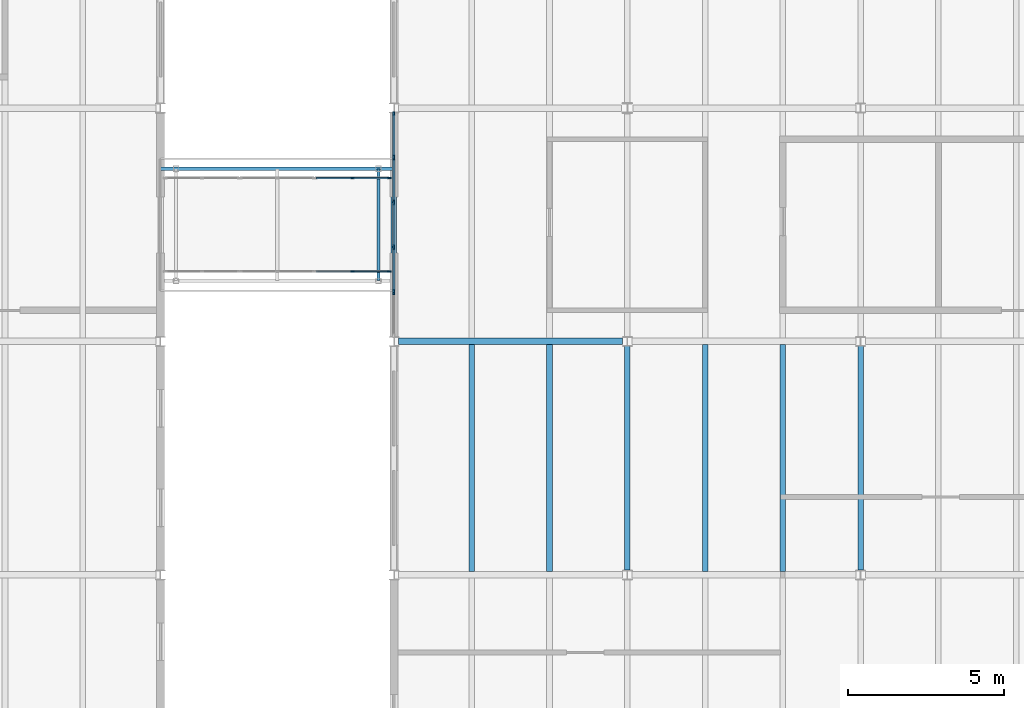
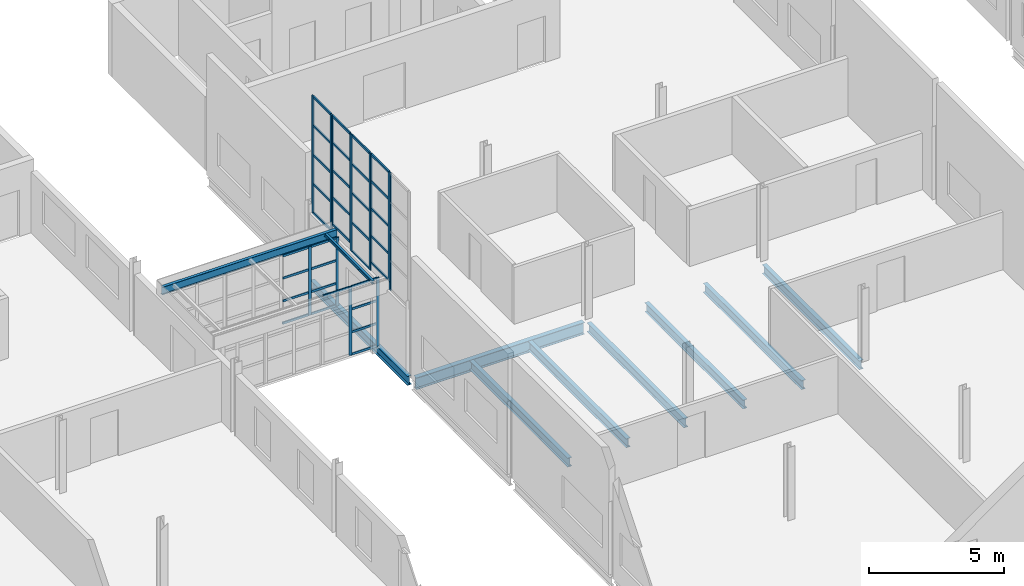
# One storey, part 34 of 198: 47 members, 9 beams, 7 elements without a shape of their own.
"""IFC4 building model written with IfcOpenShell, lengths in metres."""

from ifc_helpers import new_model, si_unit, direction, frame, origin, origin_2d, place, context, subcontext, project, spatial, rectangle, i_section, extrude, material, material_profile, profile_set, type_object, element, aggregate, save


model = new_model("IFC4")

# Units and contexts
model_context = context("Model", 3, precision=1e-05, world=origin(), true_north=direction((0.0, 1.0)))
body_context = subcontext(model_context, "Body", "Model", "MODEL_VIEW")
ifc_project = project(units=[si_unit("LENGTHUNIT", "METRE"), si_unit("AREAUNIT", "SQUARE_METRE"), si_unit("VOLUMEUNIT", "CUBIC_METRE"), si_unit("PLANEANGLEUNIT", "RADIAN"), si_unit("MASSUNIT", "GRAM", prefix="KILO")], contexts=[model_context])

# Site, building, storey
site_placement = place(None, origin())
site = spatial("IfcSite", under=ifc_project, at=site_placement, CompositionType="ELEMENT")
building_placement = place(site_placement, origin())
building = spatial("IfcBuilding", under=site, at=building_placement, Name="Parallax Yard Mobility Hub", CompositionType="ELEMENT")
storey_placement = place(building_placement, frame((0.0, 0.0, 6.60009765625)))
storey = spatial("IfcBuildingStorey", under=building, at=storey_placement, Name="L02", CompositionType="ELEMENT", Elevation=6.60009765625)

# Member
ifc_material_1 = material(Name="Steel ASTM A992", Category="steel")
ifc_material_profile_1 = material_profile(ifc_material_1, i_section(OverallWidth=0.10205078125, OverallDepth=0.153076171875, WebThickness=0.005859375, FlangeThickness=0.007080078125, at=origin_2d()), Name="W150x18")
ifc_profile_set_1 = profile_set([ifc_material_profile_1], Name="Steel ASTM A992")
member_type_1 = type_object("IfcMemberType", Name="Bridge cross rafter W150x18", PredefinedType="RAFTER", material=ifc_profile_set_1)
member_1_placement = place(storey_placement, frame((149.5, 31.952880859375, 3.17236328125), z_axis=(0.0, 1.0, 0.0), x_axis=(-1.0, 0.0, 0.0)))
element("IfcMember", 1, at=member_1_placement, inside=storey, type_object=member_type_1, Name="Bridge BR3 level L02 cross rafter 3", PredefinedType="RAFTER", context=body_context, shape_type="SweptSolid", body=[
    extrude(i_section(OverallWidth=0.10205078125, OverallDepth=0.153076171875, WebThickness=0.005859375, FlangeThickness=0.007080078125, at=origin_2d()), origin(), (0.0, 0.0, 1.0), 3.59423828125),
])

# Beam
ifc_material_profile_2 = material_profile(ifc_material_1, i_section(OverallWidth=0.126953125, OverallDepth=0.34912109375, WebThickness=0.005859375, FlangeThickness=0.008544921875, at=origin_2d()), Name="W360x33")
ifc_profile_set_2 = profile_set([ifc_material_profile_2], Name="Steel ASTM A992")
beam_type_1 = type_object("IfcBeamType", Name="Bridge roof beam W360x33", PredefinedType="BEAM", material=ifc_profile_set_2)
beam_1_placement = place(storey_placement, frame((142.5, 35.550048828125, 3.074462890625), z_axis=(1.0, 0.0, 0.0), x_axis=(0.0, 1.0, 0.0)))
element("IfcBeam", 2, at=beam_1_placement, inside=storey, type_object=beam_type_1, Name="Bridge BR3 level L02 roof beam at y 35.55", PredefinedType="BEAM", context=body_context, shape_type="SweptSolid", body=[
    extrude(i_section(OverallWidth=0.126953125, OverallDepth=0.34912109375, WebThickness=0.005859375, FlangeThickness=0.008544921875, at=origin_2d()), origin(), (0.0, 0.0, 1.0), 7.5),
])

# Curtain wall, members
ifc_material_2 = material(Name="Thermally broken aluminium curtain wall system", Category="aluminium")
curtain_wall_type_1 = type_object("IfcCurtainWallType", Name="Bridge curtain wall run 50 x 120 frame", PredefinedType="NOTDEFINED", material=ifc_material_2)
curtain_wall_1_placement = place(storey_placement, origin())
curtain_wall_1 = element("IfcCurtainWall", 3, at=curtain_wall_1_placement, inside=storey, type_object=curtain_wall_type_1, Name="Curtain wall run bridge BR3 south side level L02", PredefinedType="NOTDEFINED")
ifc_material_3 = material(Name="Extruded aluminium", Category="aluminium")
ifc_material_profile_3 = material_profile(ifc_material_3, rectangle(XDim=0.050048828125, YDim=0.1201171875, at=origin_2d()), Name="Mullion 50 x 120")
ifc_profile_set_3 = profile_set([ifc_material_profile_3], Name="Extruded aluminium")
member_type_2 = type_object("IfcMemberType", Name="Mullion 50 x 120", PredefinedType="MULLION", material=ifc_profile_set_3)
member_2_placement = place(storey_placement, frame((148.666748046875, 32.25, 0.0), z_axis=(0.0, 0.0, 1.0), x_axis=(0.0, 1.0, 0.0)))
member_2 = element("IfcMember", 4, at=member_2_placement, type_object=member_type_2, Name="CW2 mullion 2", PredefinedType="MULLION", context=body_context, shape_type="SweptSolid", body=[
    extrude(rectangle(XDim=0.050048828125, YDim=0.1201171875, at=origin_2d()), origin(), (0.0, 0.0, 1.0), 3.095947265625),
])
member_3_placement = place(storey_placement, frame((149.85009765625, 32.25, 0.0), z_axis=(0.0, 0.0, 1.0), x_axis=(0.0, 1.0, 0.0)))
member_3 = element("IfcMember", 5, at=member_3_placement, type_object=member_type_2, Name="CW2 mullion 3", PredefinedType="MULLION", context=body_context, shape_type="SweptSolid", body=[
    extrude(rectangle(XDim=0.050048828125, YDim=0.1201171875, at=origin_2d()), origin(), (0.0, 0.0, 1.0), 3.095947265625),
])

curtain_wall_2_placement = place(storey_placement, origin())
curtain_wall_2 = element("IfcCurtainWall", 6, at=curtain_wall_2_placement, inside=storey, type_object=curtain_wall_type_1, Name="Curtain wall run bridge BR3 north side level L02", PredefinedType="NOTDEFINED")
member_4_placement = place(storey_placement, frame((148.666748046875, 35.25, 0.0), z_axis=(0.0, 0.0, 1.0), x_axis=(0.0, 1.0, 0.0)))
member_4 = element("IfcMember", 7, at=member_4_placement, type_object=member_type_2, Name="CW2 mullion 2", PredefinedType="MULLION", context=body_context, shape_type="SweptSolid", body=[
    extrude(rectangle(XDim=0.050048828125, YDim=0.1201171875, at=origin_2d()), origin(), (0.0, 0.0, 1.0), 3.095947265625),
])
member_5_placement = place(storey_placement, frame((149.85009765625, 35.25, 0.0), z_axis=(0.0, 0.0, 1.0), x_axis=(0.0, 1.0, 0.0)))
member_5 = element("IfcMember", 8, at=member_5_placement, type_object=member_type_2, Name="CW2 mullion 3", PredefinedType="MULLION", context=body_context, shape_type="SweptSolid", body=[
    extrude(rectangle(XDim=0.050048828125, YDim=0.1201171875, at=origin_2d()), origin(), (0.0, 0.0, 1.0), 3.095947265625),
])

# Curtain wall, member
curtain_wall_type_2 = type_object("IfcCurtainWallType", Name="Clerestory glazing run 60 x 120 frame", PredefinedType="NOTDEFINED", material=ifc_material_2)
curtain_wall_3_placement = place(storey_placement, origin())
curtain_wall_3 = element("IfcCurtainWall", 9, at=curtain_wall_3_placement, inside=storey, type_object=curtain_wall_type_2, Name="Clerestory glazing run Bicycle and shared-mobility hall west bay 4 level L02", PredefinedType="NOTDEFINED")
ifc_material_profile_4 = material_profile(ifc_material_3, rectangle(XDim=0.06005859375, YDim=0.1201171875, at=origin_2d()), Name="Mullion 60 x 120")
ifc_profile_set_4 = profile_set([ifc_material_profile_4], Name="Extruded aluminium")
member_type_3 = type_object("IfcMemberType", Name="Mullion 60 x 120", PredefinedType="MULLION", material=ifc_profile_set_4)
member_6_placement = place(storey_placement, frame((150.0, 31.56201171875, 2.89990234375), z_axis=(0.0, 0.0, 1.0), x_axis=(-1.0, 0.0, 0.0)))
member_6 = element("IfcMember", 10, at=member_6_placement, type_object=member_type_3, Name="CW4 mullion 2", PredefinedType="MULLION", context=body_context, shape_type="SweptSolid", body=[
    extrude(rectangle(XDim=0.06005859375, YDim=0.1201171875, at=origin_2d()), origin(), (0.0, 0.0, 1.0), 5.292724609375),
])
aggregate(curtain_wall_3, [member_6])

# Curtain wall, members
curtain_wall_4_placement = place(storey_placement, origin())
curtain_wall_4 = element("IfcCurtainWall", 11, at=curtain_wall_4_placement, inside=storey, type_object=curtain_wall_type_2, Name="Clerestory glazing run Bicycle and shared-mobility hall west bay 4 level L02", PredefinedType="NOTDEFINED")
member_7_placement = place(storey_placement, frame((150.0, 31.6220703125, 3.2490234375), z_axis=(0.0, 0.0, 1.0), x_axis=(-1.0, 0.0, 0.0)))
member_7 = element("IfcMember", 12, at=member_7_placement, type_object=member_type_3, Name="CW4 mullion 1", PredefinedType="MULLION", context=body_context, shape_type="SweptSolid", body=[
    extrude(rectangle(XDim=0.06005859375, YDim=0.1201171875, at=origin_2d()), origin(), (0.0, 0.0, 1.0), 4.943603515625),
])
member_8_placement = place(storey_placement, frame((150.0, 33.000732421875, 3.2490234375), z_axis=(0.0, 0.0, 1.0), x_axis=(-1.0, 0.0, 0.0)))
member_8 = element("IfcMember", 13, at=member_8_placement, type_object=member_type_3, Name="CW4 mullion 2", PredefinedType="MULLION", context=body_context, shape_type="SweptSolid", body=[
    extrude(rectangle(XDim=0.06005859375, YDim=0.1201171875, at=origin_2d()), origin(), (0.0, 0.0, 1.0), 4.943603515625),
])

curtain_wall_5_placement = place(storey_placement, origin())
curtain_wall_5 = element("IfcCurtainWall", 14, at=curtain_wall_5_placement, inside=storey, type_object=curtain_wall_type_2, Name="Clerestory glazing run Bicycle and shared-mobility hall west bay 4 level L02", PredefinedType="NOTDEFINED")
member_9_placement = place(storey_placement, frame((150.0, 33.060791015625, 2.89990234375), z_axis=(0.0, 0.0, 1.0), x_axis=(-1.0, 0.0, 0.0)))
member_9 = element("IfcMember", 15, at=member_9_placement, type_object=member_type_3, Name="CW4 mullion 1", PredefinedType="MULLION", context=body_context, shape_type="SweptSolid", body=[
    extrude(rectangle(XDim=0.06005859375, YDim=0.1201171875, at=origin_2d()), origin(), (0.0, 0.0, 1.0), 5.292724609375),
])
member_10_placement = place(storey_placement, frame((150.0, 34.439208984375, 2.89990234375), z_axis=(0.0, 0.0, 1.0), x_axis=(-1.0, 0.0, 0.0)))
member_10 = element("IfcMember", 16, at=member_10_placement, type_object=member_type_3, Name="CW4 mullion 2", PredefinedType="MULLION", context=body_context, shape_type="SweptSolid", body=[
    extrude(rectangle(XDim=0.06005859375, YDim=0.1201171875, at=origin_2d()), origin(), (0.0, 0.0, 1.0), 5.292724609375),
])

curtain_wall_6_placement = place(storey_placement, origin())
curtain_wall_6 = element("IfcCurtainWall", 17, at=curtain_wall_6_placement, inside=storey, type_object=curtain_wall_type_2, Name="Clerestory glazing run Bicycle and shared-mobility hall west bay 4 level L02", PredefinedType="NOTDEFINED")
member_11_placement = place(storey_placement, frame((150.0, 34.499267578125, 3.2490234375), z_axis=(0.0, 0.0, 1.0), x_axis=(-1.0, 0.0, 0.0)))
member_11 = element("IfcMember", 18, at=member_11_placement, type_object=member_type_3, Name="CW4 mullion 1", PredefinedType="MULLION", context=body_context, shape_type="SweptSolid", body=[
    extrude(rectangle(XDim=0.06005859375, YDim=0.1201171875, at=origin_2d()), origin(), (0.0, 0.0, 1.0), 4.943603515625),
])
member_12_placement = place(storey_placement, frame((150.0, 35.8779296875, 3.2490234375), z_axis=(0.0, 0.0, 1.0), x_axis=(-1.0, 0.0, 0.0)))
member_12 = element("IfcMember", 19, at=member_12_placement, type_object=member_type_3, Name="CW4 mullion 2", PredefinedType="MULLION", context=body_context, shape_type="SweptSolid", body=[
    extrude(rectangle(XDim=0.06005859375, YDim=0.1201171875, at=origin_2d()), origin(), (0.0, 0.0, 1.0), 4.943603515625),
])

curtain_wall_7_placement = place(storey_placement, origin())
curtain_wall_7 = element("IfcCurtainWall", 20, at=curtain_wall_7_placement, inside=storey, type_object=curtain_wall_type_2, Name="Clerestory glazing run Bicycle and shared-mobility hall west bay 4 level L02", PredefinedType="NOTDEFINED")
member_13_placement = place(storey_placement, frame((150.0, 35.93798828125, 2.89990234375), z_axis=(0.0, 0.0, 1.0), x_axis=(-1.0, 0.0, 0.0)))
member_13 = element("IfcMember", 21, at=member_13_placement, type_object=member_type_3, Name="CW4 mullion 1", PredefinedType="MULLION", context=body_context, shape_type="SweptSolid", body=[
    extrude(rectangle(XDim=0.06005859375, YDim=0.1201171875, at=origin_2d()), origin(), (0.0, 0.0, 1.0), 5.292724609375),
])
member_14_placement = place(storey_placement, frame((150.0, 37.31640625, 2.89990234375), z_axis=(0.0, 0.0, 1.0), x_axis=(-1.0, 0.0, 0.0)))
member_14 = element("IfcMember", 22, at=member_14_placement, type_object=member_type_3, Name="CW4 mullion 2", PredefinedType="MULLION", context=body_context, shape_type="SweptSolid", body=[
    extrude(rectangle(XDim=0.06005859375, YDim=0.1201171875, at=origin_2d()), origin(), (0.0, 0.0, 1.0), 5.292724609375),
])

# Member
ifc_material_profile_5 = material_profile(ifc_material_3, rectangle(XDim=0.050048828125, YDim=0.10009765625, at=origin_2d()), Name="Transom 50 x 100")
ifc_profile_set_5 = profile_set([ifc_material_profile_5], Name="Extruded aluminium")
member_type_4 = type_object("IfcMemberType", Name="Transom 50 x 100", PredefinedType="USERDEFINED", material=ifc_profile_set_5)
member_15_placement = place(storey_placement, frame((147.50830078125, 32.25, 3.07080078125), z_axis=(1.0, 0.0, 0.0), x_axis=(0.0, 1.0, 0.0)))
member_15 = element("IfcMember", 23, at=member_15_placement, type_object=member_type_4, Name="CW2 transom 1.4", ObjectType="TRANSOM", PredefinedType="USERDEFINED", context=body_context, shape_type="SweptSolid", body=[
    extrude(rectangle(XDim=0.050048828125, YDim=0.10009765625, at=origin_2d()), origin(), (0.0, 0.0, 1.0), 1.13330078125),
])

member_16_placement = place(storey_placement, frame((148.691650390625, 32.25, 0.02490234375), z_axis=(1.0, 0.0, 0.0), x_axis=(0.0, 1.0, 0.0)))
member_16 = element("IfcMember", 24, at=member_16_placement, type_object=member_type_4, Name="CW2 transom 2.1", ObjectType="TRANSOM", PredefinedType="USERDEFINED", context=body_context, shape_type="SweptSolid", body=[
    extrude(rectangle(XDim=0.050048828125, YDim=0.10009765625, at=origin_2d()), origin(), (0.0, 0.0, 1.0), 1.13330078125),
])

member_17_placement = place(storey_placement, frame((148.691650390625, 32.25, 1.031982421875), z_axis=(1.0, 0.0, 0.0), x_axis=(0.0, 1.0, 0.0)))
member_17 = element("IfcMember", 25, at=member_17_placement, type_object=member_type_4, Name="CW2 transom 2.2", ObjectType="TRANSOM", PredefinedType="USERDEFINED", context=body_context, shape_type="SweptSolid", body=[
    extrude(rectangle(XDim=0.050048828125, YDim=0.10009765625, at=origin_2d()), origin(), (0.0, 0.0, 1.0), 1.13330078125),
])

member_18_placement = place(storey_placement, frame((148.691650390625, 32.25, 2.06396484375), z_axis=(1.0, 0.0, 0.0), x_axis=(0.0, 1.0, 0.0)))
member_18 = element("IfcMember", 26, at=member_18_placement, type_object=member_type_4, Name="CW2 transom 2.3", ObjectType="TRANSOM", PredefinedType="USERDEFINED", context=body_context, shape_type="SweptSolid", body=[
    extrude(rectangle(XDim=0.050048828125, YDim=0.10009765625, at=origin_2d()), origin(), (0.0, 0.0, 1.0), 1.13330078125),
])

member_19_placement = place(storey_placement, frame((148.691650390625, 32.25, 3.07080078125), z_axis=(1.0, 0.0, 0.0), x_axis=(0.0, 1.0, 0.0)))
member_19 = element("IfcMember", 27, at=member_19_placement, type_object=member_type_4, Name="CW2 transom 2.4", ObjectType="TRANSOM", PredefinedType="USERDEFINED", context=body_context, shape_type="SweptSolid", body=[
    extrude(rectangle(XDim=0.050048828125, YDim=0.10009765625, at=origin_2d()), origin(), (0.0, 0.0, 1.0), 1.13330078125),
])

aggregate(curtain_wall_1, [member_2, member_3, member_15, member_16, member_17, member_18, member_19])

member_20_placement = place(storey_placement, frame((147.50830078125, 35.25, 0.02490234375), z_axis=(1.0, 0.0, 0.0), x_axis=(0.0, 1.0, 0.0)))
member_20 = element("IfcMember", 28, at=member_20_placement, type_object=member_type_4, Name="CW2 transom 1.1", ObjectType="TRANSOM", PredefinedType="USERDEFINED", context=body_context, shape_type="SweptSolid", body=[
    extrude(rectangle(XDim=0.050048828125, YDim=0.10009765625, at=origin_2d()), origin(), (0.0, 0.0, 1.0), 1.13330078125),
])

member_21_placement = place(storey_placement, frame((147.50830078125, 35.25, 1.031982421875), z_axis=(1.0, 0.0, 0.0), x_axis=(0.0, 1.0, 0.0)))
member_21 = element("IfcMember", 29, at=member_21_placement, type_object=member_type_4, Name="CW2 transom 1.2", ObjectType="TRANSOM", PredefinedType="USERDEFINED", context=body_context, shape_type="SweptSolid", body=[
    extrude(rectangle(XDim=0.050048828125, YDim=0.10009765625, at=origin_2d()), origin(), (0.0, 0.0, 1.0), 1.13330078125),
])

member_22_placement = place(storey_placement, frame((147.50830078125, 35.25, 2.06396484375), z_axis=(1.0, 0.0, 0.0), x_axis=(0.0, 1.0, 0.0)))
member_22 = element("IfcMember", 30, at=member_22_placement, type_object=member_type_4, Name="CW2 transom 1.3", ObjectType="TRANSOM", PredefinedType="USERDEFINED", context=body_context, shape_type="SweptSolid", body=[
    extrude(rectangle(XDim=0.050048828125, YDim=0.10009765625, at=origin_2d()), origin(), (0.0, 0.0, 1.0), 1.13330078125),
])

member_23_placement = place(storey_placement, frame((147.50830078125, 35.25, 3.07080078125), z_axis=(1.0, 0.0, 0.0), x_axis=(0.0, 1.0, 0.0)))
member_23 = element("IfcMember", 31, at=member_23_placement, type_object=member_type_4, Name="CW2 transom 1.4", ObjectType="TRANSOM", PredefinedType="USERDEFINED", context=body_context, shape_type="SweptSolid", body=[
    extrude(rectangle(XDim=0.050048828125, YDim=0.10009765625, at=origin_2d()), origin(), (0.0, 0.0, 1.0), 1.13330078125),
])

member_24_placement = place(storey_placement, frame((148.691650390625, 35.25, 0.02490234375), z_axis=(1.0, 0.0, 0.0), x_axis=(0.0, 1.0, 0.0)))
member_24 = element("IfcMember", 32, at=member_24_placement, type_object=member_type_4, Name="CW2 transom 2.1", ObjectType="TRANSOM", PredefinedType="USERDEFINED", context=body_context, shape_type="SweptSolid", body=[
    extrude(rectangle(XDim=0.050048828125, YDim=0.10009765625, at=origin_2d()), origin(), (0.0, 0.0, 1.0), 1.13330078125),
])

member_25_placement = place(storey_placement, frame((148.691650390625, 35.25, 1.031982421875), z_axis=(1.0, 0.0, 0.0), x_axis=(0.0, 1.0, 0.0)))
member_25 = element("IfcMember", 33, at=member_25_placement, type_object=member_type_4, Name="CW2 transom 2.2", ObjectType="TRANSOM", PredefinedType="USERDEFINED", context=body_context, shape_type="SweptSolid", body=[
    extrude(rectangle(XDim=0.050048828125, YDim=0.10009765625, at=origin_2d()), origin(), (0.0, 0.0, 1.0), 1.13330078125),
])

member_26_placement = place(storey_placement, frame((148.691650390625, 35.25, 2.06396484375), z_axis=(1.0, 0.0, 0.0), x_axis=(0.0, 1.0, 0.0)))
member_26 = element("IfcMember", 34, at=member_26_placement, type_object=member_type_4, Name="CW2 transom 2.3", ObjectType="TRANSOM", PredefinedType="USERDEFINED", context=body_context, shape_type="SweptSolid", body=[
    extrude(rectangle(XDim=0.050048828125, YDim=0.10009765625, at=origin_2d()), origin(), (0.0, 0.0, 1.0), 1.13330078125),
])

member_27_placement = place(storey_placement, frame((148.691650390625, 35.25, 3.07080078125), z_axis=(1.0, 0.0, 0.0), x_axis=(0.0, 1.0, 0.0)))
member_27 = element("IfcMember", 35, at=member_27_placement, type_object=member_type_4, Name="CW2 transom 2.4", ObjectType="TRANSOM", PredefinedType="USERDEFINED", context=body_context, shape_type="SweptSolid", body=[
    extrude(rectangle(XDim=0.050048828125, YDim=0.10009765625, at=origin_2d()), origin(), (0.0, 0.0, 1.0), 1.13330078125),
])

aggregate(curtain_wall_2, [member_4, member_5, member_20, member_21, member_22, member_23, member_24, member_25, member_26, member_27])

ifc_material_profile_6 = material_profile(ifc_material_3, rectangle(XDim=0.06005859375, YDim=0.10009765625, at=origin_2d()), Name="Transom 60 x 100")
ifc_profile_set_6 = profile_set([ifc_material_profile_6], Name="Extruded aluminium")
member_type_5 = type_object("IfcMemberType", Name="Transom 60 x 100", PredefinedType="USERDEFINED", material=ifc_profile_set_6)
member_28_placement = place(storey_placement, frame((150.0, 31.652099609375, 3.27880859375), z_axis=(0.0, 1.0, 0.0), x_axis=(-1.0, 0.0, 0.0)))
member_28 = element("IfcMember", 36, at=member_28_placement, type_object=member_type_5, Name="CW4 transom 1.1", ObjectType="TRANSOM", PredefinedType="USERDEFINED", context=body_context, shape_type="SweptSolid", body=[
    extrude(rectangle(XDim=0.06005859375, YDim=0.10009765625, at=origin_2d()), origin(), (0.0, 0.0, 1.0), 1.318603515625),
])

member_29_placement = place(storey_placement, frame((150.0, 31.652099609375, 4.48486328125), z_axis=(0.0, 1.0, 0.0), x_axis=(-1.0, 0.0, 0.0)))
member_29 = element("IfcMember", 37, at=member_29_placement, type_object=member_type_5, Name="CW4 transom 1.2", ObjectType="TRANSOM", PredefinedType="USERDEFINED", context=body_context, shape_type="SweptSolid", body=[
    extrude(rectangle(XDim=0.06005859375, YDim=0.10009765625, at=origin_2d()), origin(), (0.0, 0.0, 1.0), 1.318603515625),
])

member_30_placement = place(storey_placement, frame((150.0, 31.652099609375, 5.720703125), z_axis=(0.0, 1.0, 0.0), x_axis=(-1.0, 0.0, 0.0)))
member_30 = element("IfcMember", 38, at=member_30_placement, type_object=member_type_5, Name="CW4 transom 1.3", ObjectType="TRANSOM", PredefinedType="USERDEFINED", context=body_context, shape_type="SweptSolid", body=[
    extrude(rectangle(XDim=0.06005859375, YDim=0.10009765625, at=origin_2d()), origin(), (0.0, 0.0, 1.0), 1.318603515625),
])

member_31_placement = place(storey_placement, frame((150.0, 31.652099609375, 6.956787109375), z_axis=(0.0, 1.0, 0.0), x_axis=(-1.0, 0.0, 0.0)))
member_31 = element("IfcMember", 39, at=member_31_placement, type_object=member_type_5, Name="CW4 transom 1.4", ObjectType="TRANSOM", PredefinedType="USERDEFINED", context=body_context, shape_type="SweptSolid", body=[
    extrude(rectangle(XDim=0.06005859375, YDim=0.10009765625, at=origin_2d()), origin(), (0.0, 0.0, 1.0), 1.318603515625),
])

member_32_placement = place(storey_placement, frame((150.0, 31.652099609375, 8.16259765625), z_axis=(0.0, 1.0, 0.0), x_axis=(-1.0, 0.0, 0.0)))
member_32 = element("IfcMember", 40, at=member_32_placement, type_object=member_type_5, Name="CW4 transom 1.5", ObjectType="TRANSOM", PredefinedType="USERDEFINED", context=body_context, shape_type="SweptSolid", body=[
    extrude(rectangle(XDim=0.06005859375, YDim=0.10009765625, at=origin_2d()), origin(), (0.0, 0.0, 1.0), 1.318603515625),
])

aggregate(curtain_wall_4, [member_7, member_8, member_28, member_29, member_30, member_31, member_32])

member_33_placement = place(storey_placement, frame((150.0, 33.0908203125, 2.929931640625), z_axis=(0.0, 1.0, 0.0), x_axis=(-1.0, 0.0, 0.0)))
member_33 = element("IfcMember", 41, at=member_33_placement, type_object=member_type_5, Name="CW4 transom 1.1", ObjectType="TRANSOM", PredefinedType="USERDEFINED", context=body_context, shape_type="SweptSolid", body=[
    extrude(rectangle(XDim=0.06005859375, YDim=0.10009765625, at=origin_2d()), origin(), (0.0, 0.0, 1.0), 1.318359375),
])

member_34_placement = place(storey_placement, frame((150.0, 33.0908203125, 4.22314453125), z_axis=(0.0, 1.0, 0.0), x_axis=(-1.0, 0.0, 0.0)))
member_34 = element("IfcMember", 42, at=member_34_placement, type_object=member_type_5, Name="CW4 transom 1.2", ObjectType="TRANSOM", PredefinedType="USERDEFINED", context=body_context, shape_type="SweptSolid", body=[
    extrude(rectangle(XDim=0.06005859375, YDim=0.10009765625, at=origin_2d()), origin(), (0.0, 0.0, 1.0), 1.318359375),
])

member_35_placement = place(storey_placement, frame((150.0, 33.0908203125, 5.546142578125), z_axis=(0.0, 1.0, 0.0), x_axis=(-1.0, 0.0, 0.0)))
member_35 = element("IfcMember", 43, at=member_35_placement, type_object=member_type_5, Name="CW4 transom 1.3", ObjectType="TRANSOM", PredefinedType="USERDEFINED", context=body_context, shape_type="SweptSolid", body=[
    extrude(rectangle(XDim=0.06005859375, YDim=0.10009765625, at=origin_2d()), origin(), (0.0, 0.0, 1.0), 1.318359375),
])

member_36_placement = place(storey_placement, frame((150.0, 33.0908203125, 6.869384765625), z_axis=(0.0, 1.0, 0.0), x_axis=(-1.0, 0.0, 0.0)))
member_36 = element("IfcMember", 44, at=member_36_placement, type_object=member_type_5, Name="CW4 transom 1.4", ObjectType="TRANSOM", PredefinedType="USERDEFINED", context=body_context, shape_type="SweptSolid", body=[
    extrude(rectangle(XDim=0.06005859375, YDim=0.10009765625, at=origin_2d()), origin(), (0.0, 0.0, 1.0), 1.318359375),
])

member_37_placement = place(storey_placement, frame((150.0, 33.0908203125, 8.16259765625), z_axis=(0.0, 1.0, 0.0), x_axis=(-1.0, 0.0, 0.0)))
member_37 = element("IfcMember", 45, at=member_37_placement, type_object=member_type_5, Name="CW4 transom 1.5", ObjectType="TRANSOM", PredefinedType="USERDEFINED", context=body_context, shape_type="SweptSolid", body=[
    extrude(rectangle(XDim=0.06005859375, YDim=0.10009765625, at=origin_2d()), origin(), (0.0, 0.0, 1.0), 1.318359375),
])

aggregate(curtain_wall_5, [member_9, member_10, member_33, member_34, member_35, member_36, member_37])

member_38_placement = place(storey_placement, frame((150.0, 34.529296875, 3.27880859375), z_axis=(0.0, 1.0, 0.0), x_axis=(-1.0, 0.0, 0.0)))
member_38 = element("IfcMember", 46, at=member_38_placement, type_object=member_type_5, Name="CW4 transom 1.1", ObjectType="TRANSOM", PredefinedType="USERDEFINED", context=body_context, shape_type="SweptSolid", body=[
    extrude(rectangle(XDim=0.06005859375, YDim=0.10009765625, at=origin_2d()), origin(), (0.0, 0.0, 1.0), 1.318603515625),
])

member_39_placement = place(storey_placement, frame((150.0, 34.529296875, 4.48486328125), z_axis=(0.0, 1.0, 0.0), x_axis=(-1.0, 0.0, 0.0)))
member_39 = element("IfcMember", 47, at=member_39_placement, type_object=member_type_5, Name="CW4 transom 1.2", ObjectType="TRANSOM", PredefinedType="USERDEFINED", context=body_context, shape_type="SweptSolid", body=[
    extrude(rectangle(XDim=0.06005859375, YDim=0.10009765625, at=origin_2d()), origin(), (0.0, 0.0, 1.0), 1.318603515625),
])

member_40_placement = place(storey_placement, frame((150.0, 34.529296875, 5.720703125), z_axis=(0.0, 1.0, 0.0), x_axis=(-1.0, 0.0, 0.0)))
member_40 = element("IfcMember", 48, at=member_40_placement, type_object=member_type_5, Name="CW4 transom 1.3", ObjectType="TRANSOM", PredefinedType="USERDEFINED", context=body_context, shape_type="SweptSolid", body=[
    extrude(rectangle(XDim=0.06005859375, YDim=0.10009765625, at=origin_2d()), origin(), (0.0, 0.0, 1.0), 1.318603515625),
])

member_41_placement = place(storey_placement, frame((150.0, 34.529296875, 6.956787109375), z_axis=(0.0, 1.0, 0.0), x_axis=(-1.0, 0.0, 0.0)))
member_41 = element("IfcMember", 49, at=member_41_placement, type_object=member_type_5, Name="CW4 transom 1.4", ObjectType="TRANSOM", PredefinedType="USERDEFINED", context=body_context, shape_type="SweptSolid", body=[
    extrude(rectangle(XDim=0.06005859375, YDim=0.10009765625, at=origin_2d()), origin(), (0.0, 0.0, 1.0), 1.318603515625),
])

member_42_placement = place(storey_placement, frame((150.0, 34.529296875, 8.16259765625), z_axis=(0.0, 1.0, 0.0), x_axis=(-1.0, 0.0, 0.0)))
member_42 = element("IfcMember", 50, at=member_42_placement, type_object=member_type_5, Name="CW4 transom 1.5", ObjectType="TRANSOM", PredefinedType="USERDEFINED", context=body_context, shape_type="SweptSolid", body=[
    extrude(rectangle(XDim=0.06005859375, YDim=0.10009765625, at=origin_2d()), origin(), (0.0, 0.0, 1.0), 1.318603515625),
])

aggregate(curtain_wall_6, [member_11, member_12, member_38, member_39, member_40, member_41, member_42])

member_43_placement = place(storey_placement, frame((150.0, 35.968017578125, 2.929931640625), z_axis=(0.0, 1.0, 0.0), x_axis=(-1.0, 0.0, 0.0)))
member_43 = element("IfcMember", 51, at=member_43_placement, type_object=member_type_5, Name="CW4 transom 1.1", ObjectType="TRANSOM", PredefinedType="USERDEFINED", context=body_context, shape_type="SweptSolid", body=[
    extrude(rectangle(XDim=0.06005859375, YDim=0.10009765625, at=origin_2d()), origin(), (0.0, 0.0, 1.0), 1.318603515625),
])

member_44_placement = place(storey_placement, frame((150.0, 35.968017578125, 4.22314453125), z_axis=(0.0, 1.0, 0.0), x_axis=(-1.0, 0.0, 0.0)))
member_44 = element("IfcMember", 52, at=member_44_placement, type_object=member_type_5, Name="CW4 transom 1.2", ObjectType="TRANSOM", PredefinedType="USERDEFINED", context=body_context, shape_type="SweptSolid", body=[
    extrude(rectangle(XDim=0.06005859375, YDim=0.10009765625, at=origin_2d()), origin(), (0.0, 0.0, 1.0), 1.318603515625),
])

member_45_placement = place(storey_placement, frame((150.0, 35.968017578125, 5.546142578125), z_axis=(0.0, 1.0, 0.0), x_axis=(-1.0, 0.0, 0.0)))
member_45 = element("IfcMember", 53, at=member_45_placement, type_object=member_type_5, Name="CW4 transom 1.3", ObjectType="TRANSOM", PredefinedType="USERDEFINED", context=body_context, shape_type="SweptSolid", body=[
    extrude(rectangle(XDim=0.06005859375, YDim=0.10009765625, at=origin_2d()), origin(), (0.0, 0.0, 1.0), 1.318603515625),
])

member_46_placement = place(storey_placement, frame((150.0, 35.968017578125, 6.869384765625), z_axis=(0.0, 1.0, 0.0), x_axis=(-1.0, 0.0, 0.0)))
member_46 = element("IfcMember", 54, at=member_46_placement, type_object=member_type_5, Name="CW4 transom 1.4", ObjectType="TRANSOM", PredefinedType="USERDEFINED", context=body_context, shape_type="SweptSolid", body=[
    extrude(rectangle(XDim=0.06005859375, YDim=0.10009765625, at=origin_2d()), origin(), (0.0, 0.0, 1.0), 1.318603515625),
])

member_47_placement = place(storey_placement, frame((150.0, 35.968017578125, 8.16259765625), z_axis=(0.0, 1.0, 0.0), x_axis=(-1.0, 0.0, 0.0)))
member_47 = element("IfcMember", 55, at=member_47_placement, type_object=member_type_5, Name="CW4 transom 1.5", ObjectType="TRANSOM", PredefinedType="USERDEFINED", context=body_context, shape_type="SweptSolid", body=[
    extrude(rectangle(XDim=0.06005859375, YDim=0.10009765625, at=origin_2d()), origin(), (0.0, 0.0, 1.0), 1.318603515625),
])

aggregate(curtain_wall_7, [member_13, member_14, member_43, member_44, member_45, member_46, member_47])

# Beams
ifc_material_profile_7 = material_profile(ifc_material_1, i_section(OverallWidth=0.177978515625, OverallDepth=0.406005859375, WebThickness=0.0078125, FlangeThickness=0.0126953125, FilletRadius=0.01025390625, at=origin_2d()), Name="W410x60")
ifc_profile_set_7 = profile_set([ifc_material_profile_7], Name="Steel ASTM A992")
beam_type_2 = type_object("IfcBeamType", Name="W410x60 secondary beam", PredefinedType="JOIST", material=ifc_profile_set_7)
for number, where, z_axis, x_axis, name in (
    (56, (152.5, 22.6044921875, -0.343017578125), (0.0, 1.0, 0.0), (-1.0, 0.0, 0.0), "Secondary beam B1 level L02, 2.5 m east of line 21 of bicycle and shared-mobility hall, span 3"),
    (57, (160.0, 22.6044921875, -0.343017578125), (0.0, 1.0, 0.0), (-1.0, 0.0, 0.0), "Secondary beam B1 level L02, 2.5 m east of line 22 of bicycle and shared-mobility hall, span 3"),
    (58, (155.0, 22.6044921875, -0.343017578125), (0.0, 1.0, 0.0), (-1.0, 0.0, 0.0), "Secondary beam B1 level L02, 5 m east of line 21 of bicycle and shared-mobility hall, span 3"),
    (59, (162.5, 22.6044921875, -0.343017578125), (0.0, 1.0, 0.0), (-1.0, 0.0, 0.0), "Secondary beam B1 level L02, 5 m east of line 22 of bicycle and shared-mobility hall, span 3"),
):
    element("IfcBeam", number, at=place(storey_placement, frame(where, z_axis=z_axis, x_axis=x_axis)), inside=storey, type_object=beam_type_2, Name=name, PredefinedType="JOIST", context=body_context, shape_type="SweptSolid", body=[
        extrude(i_section(OverallWidth=0.177978515625, OverallDepth=0.406005859375, WebThickness=0.0078125, FlangeThickness=0.0126953125, FilletRadius=0.01025390625, at=origin_2d()), origin(), (0.0, 0.0, 1.0), 7.291015625),
    ])
ifc_material_profile_8 = material_profile(ifc_material_1, i_section(OverallWidth=0.178955078125, OverallDepth=0.408935546875, WebThickness=0.0087890625, FlangeThickness=0.014404296875, FilletRadius=0.01025390625, at=origin_2d()), Name="W410x67")
ifc_profile_set_8 = profile_set([ifc_material_profile_8], Name="Steel ASTM A992")
beam_type_3 = type_object("IfcBeamType", Name="W410x67 edge beam", PredefinedType="SPANDREL", material=ifc_profile_set_8)
beam_2_placement = place(storey_placement, frame((150.0, 30.153564453125, -0.344482421875), z_axis=(0.0, 1.0, 0.0), x_axis=(-1.0, 0.0, 0.0)))
element("IfcBeam", 60, at=beam_2_placement, inside=storey, type_object=beam_type_3, Name="Edge beam SB3 level L02, line 21 of bicycle and shared-mobility hall, span 4", PredefinedType="SPANDREL", context=body_context, shape_type="SweptSolid", body=[
    extrude(i_section(OverallWidth=0.178955078125, OverallDepth=0.408935546875, WebThickness=0.0087890625, FlangeThickness=0.014404296875, FilletRadius=0.01025390625, at=origin_2d()), origin(), (0.0, 0.0, 1.0), 7.19287109375),
])
ifc_material_profile_9 = material_profile(ifc_material_1, i_section(OverallWidth=0.178955078125, OverallDepth=0.408935546875, WebThickness=0.0087890625, FlangeThickness=0.014404296875, FilletRadius=0.01025390625, at=origin_2d()), Name="W410x67")
ifc_profile_set_9 = profile_set([ifc_material_profile_9], Name="Steel ASTM A992")
beam_type_4 = type_object("IfcBeamType", Name="W410x67 girder", PredefinedType="BEAM", material=ifc_profile_set_9)
for number, where, z_axis, x_axis, name in (
    (61, (157.5, 22.653564453125, -0.344482421875), (0.0, 1.0, 0.0), (-1.0, 0.0, 0.0), "Girder G1 level L02, line 22 of bicycle and shared-mobility hall, span 3"),
    (62, (165.0, 22.653564453125, -0.344482421875), (0.0, 1.0, 0.0), (-1.0, 0.0, 0.0), "Girder G1 level L02, line 23 of bicycle and shared-mobility hall, span 3"),
):
    element("IfcBeam", number, at=place(storey_placement, frame(where, z_axis=z_axis, x_axis=x_axis)), inside=storey, type_object=beam_type_4, Name=name, PredefinedType="BEAM", context=body_context, shape_type="SweptSolid", body=[
        extrude(i_section(OverallWidth=0.178955078125, OverallDepth=0.408935546875, WebThickness=0.0087890625, FlangeThickness=0.014404296875, FilletRadius=0.01025390625, at=origin_2d()), origin(), (0.0, 0.0, 1.0), 7.19287109375),
    ])
ifc_material_profile_10 = material_profile(ifc_material_1, i_section(OverallWidth=0.208984375, OverallDepth=0.532958984375, WebThickness=0.01025390625, FlangeThickness=0.015625, FilletRadius=0.0126953125, at=origin_2d()), Name="W530x92")
ifc_profile_set_10 = profile_set([ifc_material_profile_10], Name="Steel ASTM A992")
beam_type_5 = type_object("IfcBeamType", Name="W530x92 longitudinal beam", PredefinedType="BEAM", material=ifc_profile_set_10)
beam_3_placement = place(storey_placement, frame((150.152587890625, 30.0, -0.406494140625), z_axis=(1.0, 0.0, 0.0), x_axis=(0.0, 1.0, 0.0)))
element("IfcBeam", 63, at=beam_3_placement, inside=storey, type_object=beam_type_5, Name="Longitudinal beam SB6 level L02, line E of bicycle and shared-mobility hall, span 1", PredefinedType="BEAM", context=body_context, shape_type="SweptSolid", body=[
    extrude(i_section(OverallWidth=0.208984375, OverallDepth=0.532958984375, WebThickness=0.01025390625, FlangeThickness=0.015625, FilletRadius=0.0126953125, at=origin_2d()), origin(), (0.0, 0.0, 1.0), 7.19482421875),
])

save(model, "model.ifc")
